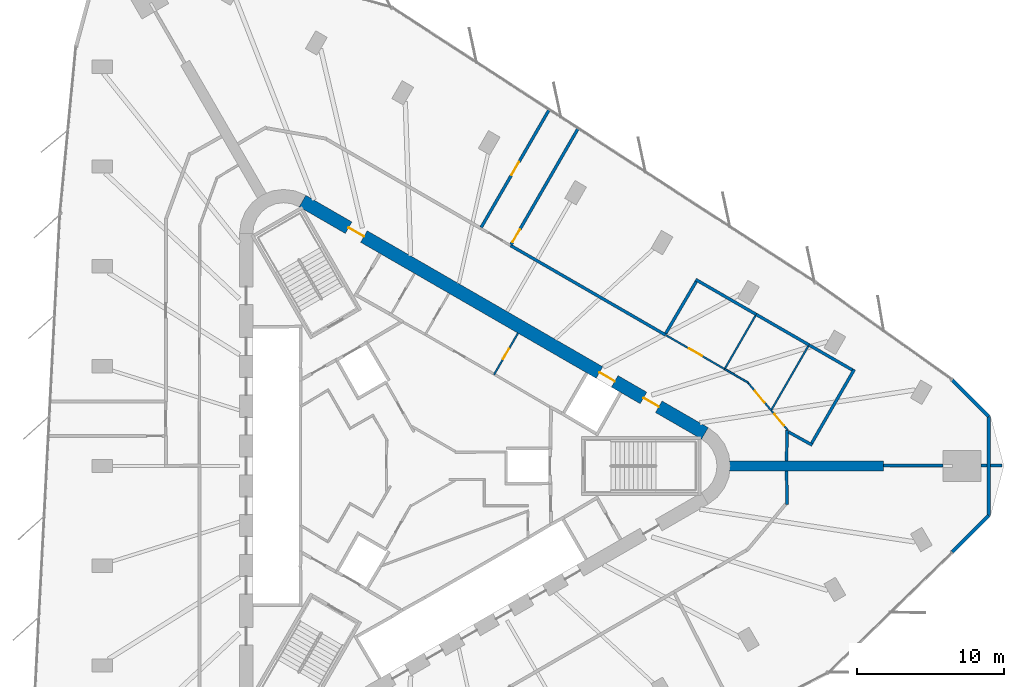
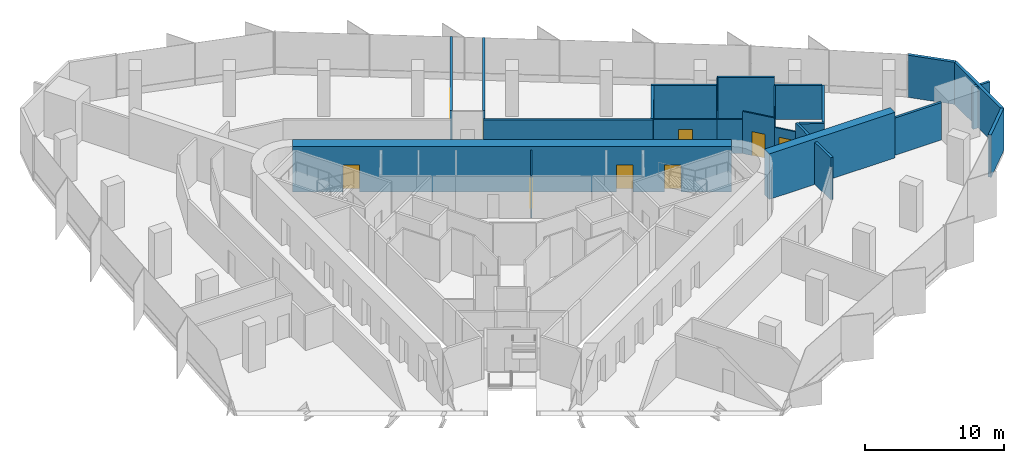
# One storey, part 12 of 14: 26 walls, 9 doors, 9 openings.
"""IFC4 building model written with IfcOpenShell, lengths in metres."""

from ifc_helpers import new_model, si_unit, direction, frame, frame_2d, origin, place, context, subcontext, project, spatial, rectangle, extrude, material, layer, layer_set, type_object, element, fill, save


model = new_model("IFC4")

# Units and contexts
model_context = context("Model", 3, precision=1e-05, world=origin(), true_north=direction((0.0, 1.0)))
body_context = subcontext(model_context, "Body", "Model", "MODEL_VIEW")
ifc_project = project(units=[si_unit("LENGTHUNIT", "METRE"), si_unit("AREAUNIT", "SQUARE_METRE"), si_unit("VOLUMEUNIT", "CUBIC_METRE"), si_unit("PLANEANGLEUNIT", "RADIAN"), si_unit("MASSUNIT", "GRAM", prefix="KILO")], contexts=[model_context])

# Site, building, storey
site_placement = place(None, origin())
site = spatial("IfcSite", under=ifc_project, at=site_placement, CompositionType="ELEMENT")
building_placement = place(site_placement, origin())
building = spatial("IfcBuilding", under=site, at=building_placement, Name="Tanit Gate Tower", CompositionType="ELEMENT")
storey_placement = place(building_placement, frame((0.0, 0.0, 253.199951171875)))
storey = spatial("IfcBuildingStorey", under=building, at=storey_placement, Name="L57", CompositionType="ELEMENT", Elevation=253.199951171875)

# Wall
ifc_material_1 = material(Name="Concrete C50/60", Category="concrete")
ifc_layer_1 = layer(ifc_material_1, 0.699951171875)
ifc_layer_set_1 = layer_set([ifc_layer_1], Name="BUTTRESS FIN 700 C50/60")
wall_type_1 = type_object("IfcWallType", Name="BUTTRESS FIN 700 C50/60", PredefinedType="SHEAR", material=ifc_layer_set_1)
wall_1_placement = place(storey_placement, frame((21.14990234375, 0.0, 0.0), z_axis=(0.0, 0.0, 1.0), x_axis=(1.0, 0.0, 0.0)))
element("IfcWall", 1, at=wall_1_placement, inside=storey, type_object=wall_type_1, Name="BUTTRESS FIN", PredefinedType="SHEAR", context=body_context, shape_type="SweptSolid", body=[
    extrude(rectangle(XDim=10.4326171875, YDim=0.699951171875, at=frame_2d((5.21630859375, 0.0))), origin(), (0.0, 0.0, 1.0), 4.0),
])

# Wall, openings, doors
ifc_material_2 = material(Name="Concrete C50/60", Category="concrete")
ifc_layer_2 = layer(ifc_material_2, 0.89990234375)
ifc_layer_set_2 = layer_set([ifc_layer_2], Name="CORE WALL 900 C50/60")
wall_type_2 = type_object("IfcWallType", Name="CORE WALL 900 C50/60", PredefinedType="SHEAR", material=ifc_layer_set_2)
wall_2_placement = place(storey_placement, frame((19.47509765625, 2.20849609375, 0.0), z_axis=(0.0, 0.0, 1.0), x_axis=(-0.866028369851, 0.499994862586, 0.0)))
wall_2 = element("IfcWall", 2, at=wall_2_placement, inside=storey, type_object=wall_type_2, Name="CORE WALL", PredefinedType="SHEAR", context=body_context, shape_type="SweptSolid", body=[
    extrude(rectangle(XDim=31.523193359375, YDim=0.89990234375, at=frame_2d((15.76171875, 0.0))), origin(), (0.0, 0.0, 1.0), 4.0),
])
opening_1_placement = place(wall_2_placement, frame((7.0615234375, 0.0, 0.0)))
opening_1 = element("IfcOpeningElement", 3, at=opening_1_placement, cuts=wall_2, Name="Opening LDML8-S16", PredefinedType="OPENING", context=body_context, shape_type="SweptSolid", body=[
    extrude(rectangle(XDim=1.199951171875, YDim=2.39990234375, at=frame_2d((0.60009765625, 1.199951171875))), frame((0.0, 0.4599609375, 0.0), z_axis=(0.0, -1.0, 0.0), x_axis=(1.0, 0.0, 0.0)), (0.0, 0.0, 1.0), 0.919921875),
])
opening_2_placement = place(wall_2_placement, frame((3.611572265625, 0.0, 0.0)))
opening_2 = element("IfcOpeningElement", 4, at=opening_2_placement, cuts=wall_2, Name="Opening F12-S16-FL1", PredefinedType="OPENING", context=body_context, shape_type="SweptSolid", body=[
    extrude(rectangle(XDim=1.199951171875, YDim=2.39990234375, at=frame_2d((0.60009765625, 1.199951171875))), frame((0.0, 0.4599609375, 0.0), z_axis=(0.0, -1.0, 0.0), x_axis=(1.0, 0.0, 0.0)), (0.0, 0.0, 1.0), 0.919921875),
])
opening_3_placement = place(wall_2_placement, frame((26.711669921875, 0.0, 0.0)))
opening_3 = element("IfcOpeningElement", 5, at=opening_3_placement, cuts=wall_2, Name="Opening F12-S16-S2", PredefinedType="OPENING", context=body_context, shape_type="SweptSolid", body=[
    extrude(rectangle(XDim=1.199951171875, YDim=2.39990234375, at=frame_2d((0.60009765625, 1.199951171875))), frame((0.0, 0.4599609375, 0.0), z_axis=(0.0, -1.0, 0.0), x_axis=(1.0, 0.0, 0.0)), (0.0, 0.0, 1.0), 0.919921875),
])
ifc_material_3 = material(Name="Fire-rated steel door leaf", Category="steel")
door_type_1 = type_object("IfcDoorType", Name="INT-DOOR-FIRE-LOBBY-1200", OperationType="NOTDEFINED", PredefinedType="USERDEFINED", material=ifc_material_3)
door_1_placement = place(opening_2_placement, origin())
door_1 = element("IfcDoor", 6, at=door_1_placement, inside=storey, type_object=door_type_1, Name="Door F12-S16-FL1", ObjectType="FIRE DOOR", OperationType="SINGLE_SWING_RIGHT", OverallHeight=2.39990234375, OverallWidth=1.199951171875, PredefinedType="USERDEFINED", context=body_context, shape_type="SweptSolid", body=[
    extrude(rectangle(XDim=1.199951171875, YDim=2.39990234375, at=frame_2d((0.60009765625, 1.199951171875))), frame((0.0, 0.02490234375, 0.0), z_axis=(0.0, -1.0, 0.0), x_axis=(1.0, 0.0, 0.0)), (0.0, 0.0, 1.0), 0.050048828125),
])
fill(opening_2, door_1)
door_2_placement = place(opening_3_placement, origin())
door_2 = element("IfcDoor", 7, at=door_2_placement, inside=storey, type_object=door_type_1, Name="Door F12-S16-S2", ObjectType="FIRE DOOR", OperationType="SINGLE_SWING_RIGHT", OverallHeight=2.39990234375, OverallWidth=1.199951171875, PredefinedType="USERDEFINED", context=body_context, shape_type="SweptSolid", body=[
    extrude(rectangle(XDim=1.199951171875, YDim=2.39990234375, at=frame_2d((0.60009765625, 1.199951171875))), frame((0.0, 0.02490234375, 0.0), z_axis=(0.0, -1.0, 0.0), x_axis=(1.0, 0.0, 0.0)), (0.0, 0.0, 1.0), 0.050048828125),
])
fill(opening_3, door_2)
ifc_material_4 = material(Name="Stainless steel sliding door leaf", Category="steel")
door_type_2 = type_object("IfcDoorType", Name="INT-DOOR-LANDING-1200", OperationType="NOTDEFINED", PredefinedType="USERDEFINED", material=ifc_material_4)
door_3_placement = place(opening_1_placement, origin())
door_3 = element("IfcDoor", 8, at=door_3_placement, inside=storey, type_object=door_type_2, Name="Door LDML8-S16", ObjectType="LANDING DOOR", OperationType="SLIDING_TO_LEFT", OverallHeight=2.39990234375, OverallWidth=1.199951171875, PredefinedType="USERDEFINED", context=body_context, shape_type="SweptSolid", body=[
    extrude(rectangle(XDim=1.199951171875, YDim=2.39990234375, at=frame_2d((0.60009765625, 1.199951171875))), frame((0.0, 0.02490234375, 0.0), z_axis=(0.0, -1.0, 0.0), x_axis=(1.0, 0.0, 0.0)), (0.0, 0.0, 1.0), 0.050048828125),
])
fill(opening_1, door_3)

# Walls
ifc_material_5 = material(Name="Concrete C30/37 with bronze anodised aluminium cladding", Category="concrete")
ifc_layer_3 = layer(ifc_material_5, 0.239990234375)
ifc_layer_set_3 = layer_set([ifc_layer_3], Name="Facade wall bronze clad 240")
wall_type_3 = type_object("IfcWallType", Name="Facade wall bronze clad 240", PredefinedType="SOLIDWALL", material=ifc_layer_set_3)
wall_3_placement = place(storey_placement, frame((36.263427734375, -5.842041015625, 0.0), z_axis=(0.0, 0.0, 1.0), x_axis=(0.707106781187, 0.707106781187, 0.0)))
element("IfcWall", 9, at=wall_3_placement, inside=storey, type_object=wall_type_3, Name="Bronze-clad facade wall L57 E.arc1", PredefinedType="SOLIDWALL", context=body_context, shape_type="SweptSolid", body=[
    extrude(rectangle(XDim=3.510009765625, YDim=0.239990234375, at=frame_2d((1.7548828125, 0.0))), origin(), (0.0, 0.0, 1.0), 3.699951171875),
])
wall_4_placement = place(storey_placement, frame((38.745361328125, -3.360107421875, 0.0), z_axis=(0.0, 0.0, 1.0), x_axis=(0.0, 1.0, 0.0)))
element("IfcWall", 10, at=wall_4_placement, inside=storey, type_object=wall_type_3, Name="Bronze-clad facade wall L57 E.arc2", PredefinedType="SOLIDWALL", context=body_context, shape_type="SweptSolid", body=[
    extrude(rectangle(XDim=6.72021484375, YDim=0.239990234375, at=frame_2d((3.360107421875, 0.0))), origin(), (0.0, 0.0, 1.0), 3.699951171875),
])
wall_5_placement = place(storey_placement, frame((38.745361328125, 3.360107421875, 0.0), z_axis=(0.0, 0.0, 1.0), x_axis=(-0.707071911409, 0.707141649244, 0.0)))
element("IfcWall", 11, at=wall_5_placement, inside=storey, type_object=wall_type_3, Name="Bronze-clad facade wall L57 E.arc3", PredefinedType="SOLIDWALL", context=body_context, shape_type="SweptSolid", body=[
    extrude(rectangle(XDim=3.500732421875, YDim=0.239990234375, at=frame_2d((1.75048828125, 0.0))), origin(), (0.0, 0.0, 1.0), 3.699951171875),
])
ifc_material_6 = material(Name="Fire-rated gypsum board partition")
ifc_layer_4 = layer(ifc_material_6, 0.199951171875)
ifc_layer_set_4 = layer_set([ifc_layer_4], Name="INT-WALL-COMPARTMENT")
wall_type_4 = type_object("IfcWallType", Name="INT-WALL-COMPARTMENT", PredefinedType="PARTITIONING", material=ifc_layer_set_4)
wall_6_placement = place(storey_placement, frame((16.82275390625, 8.8779296875, 0.0), z_axis=(0.0, 0.0, 1.0), x_axis=(-0.866020355572, 0.500008743658, 0.0)))
element("IfcWall", 12, at=wall_6_placement, inside=storey, type_object=wall_type_4, Name="Wall Compartment W103", PredefinedType="PARTITIONING", context=body_context, shape_type="SweptSolid", body=[
    extrude(rectangle(XDim=12.179931640625, YDim=0.199951171875, at=frame_2d((6.08984375, 0.0))), origin(), (0.0, 0.0, 1.0), 2.97998046875),
])
wall_7_placement = place(storey_placement, frame((25.0205078125, 0.35009765625, 0.0), z_axis=(0.0, 0.0, 1.0), x_axis=(0.012334587904, 0.999923926077, 0.0)))
element("IfcWall", 13, at=wall_7_placement, inside=storey, type_object=wall_type_4, Name="Wall Compartment W104", PredefinedType="PARTITIONING", context=body_context, shape_type="SweptSolid", body=[
    extrude(rectangle(XDim=2.078369140625, YDim=0.199951171875, at=frame_2d((1.0390625, 0.0))), origin(), (0.0, 0.0, 1.0), 3.699951171875),
])
wall_8_placement = place(storey_placement, frame((25.047607421875, -2.608154296875, 0.0), z_axis=(0.0, 0.0, 1.0), x_axis=(-0.012000433251, 0.999927992208, 0.0)))
element("IfcWall", 14, at=wall_8_placement, inside=storey, type_object=wall_type_4, Name="Wall Compartment W110", PredefinedType="PARTITIONING", context=body_context, shape_type="SweptSolid", body=[
    extrude(rectangle(XDim=2.25830078125, YDim=0.199951171875, at=frame_2d((1.129150390625, 0.0))), origin(), (0.0, 0.0, 1.0), 3.699951171875),
])

# Wall, opening, door
wall_9_placement = place(storey_placement, frame((8.912109375, 24.17626953125, 0.0), z_axis=(0.0, 0.0, 1.0), x_axis=(-0.500000924775, -0.866024869865, 0.0)))
wall_9 = element("IfcWall", 15, at=wall_9_placement, inside=storey, type_object=wall_type_4, Name="Wall Compartment W126", PredefinedType="PARTITIONING", context=body_context, shape_type="SweptSolid", body=[
    extrude(rectangle(XDim=9.2333984375, YDim=0.199951171875, at=frame_2d((4.61669921875, 0.0))), origin(), (0.0, 0.0, 1.0), 3.699951171875),
])
opening_4_placement = place(wall_9_placement, frame((4.11669921875, 0.0, 0.0)))
opening_4 = element("IfcOpeningElement", 16, at=opening_4_placement, cuts=wall_9, Name="Opening F10-S16-32", PredefinedType="OPENING", context=body_context, shape_type="SweptSolid", body=[
    extrude(rectangle(XDim=1.0, YDim=2.10009765625, at=frame_2d((0.5, 1.050048828125))), frame((0.0, 0.10986328125, 0.0), z_axis=(0.0, -1.0, 0.0), x_axis=(1.0, 0.0, 0.0)), (0.0, 0.0, 1.0), 0.219970703125),
])
ifc_material_7 = material(Name="Fire-rated steel door leaf", Category="steel")
door_type_3 = type_object("IfcDoorType", Name="INT-DOOR-FIRE-1000", OperationType="NOTDEFINED", PredefinedType="USERDEFINED", material=ifc_material_7)
door_4_placement = place(opening_4_placement, origin())
door_4 = element("IfcDoor", 17, at=door_4_placement, inside=storey, type_object=door_type_3, Name="Door F10-S16-32", ObjectType="FIRE DOOR", OperationType="SINGLE_SWING_RIGHT", OverallHeight=2.10009765625, OverallWidth=1.0, PredefinedType="USERDEFINED", context=body_context, shape_type="SweptSolid", body=[
    extrude(rectangle(XDim=1.0, YDim=2.10009765625, at=frame_2d((0.5, 1.050048828125))), frame((0.0, 0.02490234375, 0.0), z_axis=(0.0, -1.0, 0.0), x_axis=(1.0, 0.0, 0.0)), (0.0, 0.0, 1.0), 0.050048828125),
])
fill(opening_4, door_4)

wall_10_placement = place(storey_placement, frame((6.322021484375, 15.010009765625, 0.0), z_axis=(0.0, 0.0, 1.0), x_axis=(0.500009283198, 0.866020044061, 0.0)))
wall_10 = element("IfcWall", 18, at=wall_10_placement, inside=storey, type_object=wall_type_4, Name="Wall Compartment W127", PredefinedType="PARTITIONING", context=body_context, shape_type="SweptSolid", body=[
    extrude(rectangle(XDim=9.111572265625, YDim=0.199951171875, at=frame_2d((4.5556640625, 0.0))), origin(), (0.0, 0.0, 1.0), 3.699951171875),
])
opening_5_placement = place(wall_10_placement, frame((0.199951171875, 0.0, 0.0)))
opening_5 = element("IfcOpeningElement", 19, at=opening_5_placement, cuts=wall_10, Name="Opening F10-S16-33", PredefinedType="OPENING", context=body_context, shape_type="SweptSolid", body=[
    extrude(rectangle(XDim=1.0, YDim=2.10009765625, at=frame_2d((0.5, 1.050048828125))), frame((0.0, 0.10986328125, 0.0), z_axis=(0.0, -1.0, 0.0), x_axis=(1.0, 0.0, 0.0)), (0.0, 0.0, 1.0), 0.219970703125),
])
door_5_placement = place(opening_5_placement, origin())
door_5 = element("IfcDoor", 20, at=door_5_placement, inside=storey, type_object=door_type_3, Name="Door F10-S16-33", ObjectType="FIRE DOOR", OperationType="SINGLE_SWING_LEFT", OverallHeight=2.10009765625, OverallWidth=1.0, PredefinedType="USERDEFINED", context=body_context, shape_type="SweptSolid", body=[
    extrude(rectangle(XDim=1.0, YDim=2.10009765625, at=frame_2d((0.5, 1.050048828125))), frame((0.0, 0.02490234375, 0.0), z_axis=(0.0, -1.0, 0.0), x_axis=(1.0, 0.0, 0.0)), (0.0, 0.0, 1.0), 0.050048828125),
])
fill(opening_5, door_5)

# Walls
wall_11_placement = place(storey_placement, frame((31.58251953125, 0.030029296875, 0.0), z_axis=(0.0, 0.0, 1.0), x_axis=(1.0, 0.0, 0.0)))
element("IfcWall", 21, at=wall_11_placement, inside=storey, type_object=wall_type_4, Name="Wall Compartment W128", PredefinedType="PARTITIONING", context=body_context, shape_type="SweptSolid", body=[
    extrude(rectangle(XDim=4.03759765625, YDim=0.199951171875, at=frame_2d((2.018798828125, 0.0))), origin(), (0.0, 0.0, 1.0), 3.27001953125),
])
wall_12_placement = place(storey_placement, frame((38.219970703125, 0.030029296875, 0.0), z_axis=(0.0, 0.0, 1.0), x_axis=(1.0, 0.0, 0.0)))
element("IfcWall", 22, at=wall_12_placement, inside=storey, type_object=wall_type_4, Name="Wall Compartment W129", PredefinedType="PARTITIONING", context=body_context, shape_type="SweptSolid", body=[
    extrude(rectangle(XDim=0.405517578125, YDim=0.199951171875, at=frame_2d((0.20263671875, 0.0))), origin(), (0.0, 0.0, 1.0), 3.699951171875),
])
wall_13_placement = place(storey_placement, frame((38.865478515625, 0.030029296875, 0.0), z_axis=(0.0, 0.0, 1.0), x_axis=(1.0, 0.0, 0.0)))
element("IfcWall", 23, at=wall_13_placement, inside=storey, type_object=wall_type_4, Name="Wall Compartment W129x1", PredefinedType="PARTITIONING", context=body_context, shape_type="SweptSolid", body=[
    extrude(rectangle(XDim=0.772216796875, YDim=0.199951171875, at=frame_2d((0.38623046875, 0.0))), origin(), (0.0, 0.0, 1.0), 3.699951171875),
])
wall_14_placement = place(storey_placement, frame((18.850341796875, 12.649658203125, 0.0), z_axis=(0.0, 0.0, 1.0), x_axis=(0.866019207135, -0.500010732759, 0.0)))
element("IfcWall", 24, at=wall_14_placement, inside=storey, type_object=wall_type_4, Name="Wall Compartment W130", PredefinedType="PARTITIONING", context=body_context, shape_type="SweptSolid", body=[
    extrude(rectangle(XDim=4.74072265625, YDim=0.199951171875, at=frame_2d((2.370361328125, 0.0))), origin(), (0.0, 0.0, 1.0), 2.97998046875),
])
wall_15_placement = place(storey_placement, frame((22.955810546875, 10.279296875, 0.0), z_axis=(0.0, 0.0, 1.0), x_axis=(0.86601450623, -0.500018874643, 0.0)))
element("IfcWall", 25, at=wall_15_placement, inside=storey, type_object=wall_type_4, Name="Wall Compartment W132", PredefinedType="PARTITIONING", context=body_context, shape_type="SweptSolid", body=[
    extrude(rectangle(XDim=4.135009765625, YDim=0.199951171875, at=frame_2d((2.0673828125, 0.0))), origin(), (0.0, 0.0, 1.0), 3.699951171875),
])
wall_16_placement = place(storey_placement, frame((26.536865234375, 8.211669921875, 0.0), z_axis=(0.0, 0.0, 1.0), x_axis=(0.866034661658, -0.49998396455, 0.0)))
element("IfcWall", 26, at=wall_16_placement, inside=storey, type_object=wall_type_4, Name="Wall Compartment W135", PredefinedType="PARTITIONING", context=body_context, shape_type="SweptSolid", body=[
    extrude(rectangle(XDim=3.39404296875, YDim=0.199951171875, at=frame_2d((1.697021484375, 0.0))), origin(), (0.0, 0.0, 1.0), 2.97998046875),
])
wall_17_placement = place(storey_placement, frame((18.88623046875, 12.513427734375, 0.0), z_axis=(0.0, 0.0, 1.0), x_axis=(-0.506023514177, -0.862519682732, 0.0)))
element("IfcWall", 27, at=wall_17_placement, inside=storey, type_object=wall_type_4, Name="Wall Compartment W131", PredefinedType="PARTITIONING", context=body_context, shape_type="SweptSolid", body=[
    extrude(rectangle(XDim=4.080322265625, YDim=0.199951171875, at=frame_2d((2.0400390625, 0.0))), origin(), (0.0, 0.0, 1.0), 2.97998046875),
])
wall_18_placement = place(storey_placement, frame((25.1455078125, 2.308349609375, 0.0), z_axis=(0.0, 0.0, 1.0), x_axis=(0.873988954693, -0.485945786147, 0.0)))
element("IfcWall", 28, at=wall_18_placement, inside=storey, type_object=wall_type_4, Name="Wall Compartment W133", PredefinedType="PARTITIONING", context=body_context, shape_type="SweptSolid", body=[
    extrude(rectangle(XDim=1.847900390625, YDim=0.199951171875, at=frame_2d((0.923828125, 0.0))), origin(), (0.0, 0.0, 1.0), 3.699951171875),
])
wall_19_placement = place(storey_placement, frame((26.722900390625, 1.545654296875, 0.0), z_axis=(0.0, 0.0, 1.0), x_axis=(0.500018609004, 0.866014659605, 0.0)))
element("IfcWall", 29, at=wall_19_placement, inside=storey, type_object=wall_type_4, Name="Wall Compartment W134", PredefinedType="PARTITIONING", context=body_context, shape_type="SweptSolid", body=[
    extrude(rectangle(XDim=5.780029296875, YDim=0.199951171875, at=frame_2d((2.89013671875, 0.0))), origin(), (0.0, 0.0, 1.0), 2.880126953125),
])

# Wall, opening, door
ifc_material_8 = material(Name="Gypsum board partition")
ifc_layer_5 = layer(ifc_material_8, 0.1201171875)
ifc_layer_set_5 = layer_set([ifc_layer_5], Name="INT-WALL-PARTITION")
wall_type_5 = type_object("IfcWallType", Name="INT-WALL-PARTITION", PredefinedType="PARTITIONING", material=ifc_layer_set_5)
wall_20_placement = place(storey_placement, frame((6.795166015625, 9.009521484375, 0.0), z_axis=(0.0, 0.0, 1.0), x_axis=(-0.499984717929, -0.866034226713, 0.0)))
wall_20 = element("IfcWall", 30, at=wall_20_placement, inside=storey, type_object=wall_type_5, Name="Wall Partition W050", PredefinedType="PARTITIONING", context=body_context, shape_type="SweptSolid", body=[
    extrude(rectangle(XDim=3.25, YDim=0.1201171875, at=frame_2d((1.625, 0.0))), origin(), (0.0, 0.0, 1.0), 3.699951171875),
])
opening_6_placement = place(wall_20_placement, frame((1.22509765625, 0.0, 0.0)))
opening_6 = element("IfcOpeningElement", 31, at=opening_6_placement, cuts=wall_20, Name="Opening R08-S16-14", PredefinedType="OPENING", context=body_context, shape_type="SweptSolid", body=[
    extrude(rectangle(XDim=0.800048828125, YDim=2.10009765625, at=frame_2d((0.39990234375, 1.050048828125))), frame((0.0, 0.070068359375, 0.0), z_axis=(0.0, -1.0, 0.0), x_axis=(1.0, 0.0, 0.0)), (0.0, 0.0, 1.0), 0.14013671875),
])
ifc_material_9 = material(Name="Timber door leaf", Category="wood")
door_type_4 = type_object("IfcDoorType", Name="INT-DOOR-RISER-800", OperationType="NOTDEFINED", PredefinedType="USERDEFINED", material=ifc_material_9)
door_6_placement = place(opening_6_placement, origin())
door_6 = element("IfcDoor", 32, at=door_6_placement, inside=storey, type_object=door_type_4, Name="Door R08-S16-14", ObjectType="FIRE DOOR", OperationType="SINGLE_SWING_LEFT", OverallHeight=2.10009765625, OverallWidth=0.800048828125, PredefinedType="USERDEFINED", context=body_context, shape_type="SweptSolid", body=[
    extrude(rectangle(XDim=0.800048828125, YDim=2.10009765625, at=frame_2d((0.39990234375, 1.050048828125))), frame((0.0, 0.02490234375, 0.0), z_axis=(0.0, -1.0, 0.0), x_axis=(1.0, 0.0, 0.0)), (0.0, 0.0, 1.0), 0.050048828125),
])
fill(opening_6, door_6)

# Wall
wall_21_placement = place(storey_placement, frame((22.431396484375, 5.639892578125, 0.0), z_axis=(0.0, 0.0, 1.0), x_axis=(-0.866019968675, 0.500009413767, 0.0)))
element("IfcWall", 33, at=wall_21_placement, inside=storey, type_object=wall_type_5, Name="Wall Partition W106", PredefinedType="PARTITIONING", context=body_context, shape_type="SweptSolid", body=[
    extrude(rectangle(XDim=1.86572265625, YDim=0.1201171875, at=frame_2d((0.932861328125, 0.0))), origin(), (0.0, 0.0, 1.0), 2.97998046875),
])

# Wall, opening, door
wall_22_placement = place(storey_placement, frame((20.815673828125, 6.57275390625, 0.0), z_axis=(0.0, 0.0, 1.0), x_axis=(-0.866038816861, 0.499976767151, 0.0)))
wall_22 = element("IfcWall", 34, at=wall_22_placement, inside=storey, type_object=wall_type_5, Name="Wall Partition W105", PredefinedType="PARTITIONING", context=body_context, shape_type="SweptSolid", body=[
    extrude(rectangle(XDim=4.570556640625, YDim=0.1201171875, at=frame_2d((2.28515625, 0.0))), origin(), (0.0, 0.0, 1.0), 2.97998046875),
])
opening_7_placement = place(wall_22_placement, frame((1.785400390625, 0.0, 0.0)))
opening_7 = element("IfcOpeningElement", 35, at=opening_7_placement, cuts=wall_22, Name="Opening D10-S16-27", PredefinedType="OPENING", context=body_context, shape_type="SweptSolid", body=[
    extrude(rectangle(XDim=1.0, YDim=2.10009765625, at=frame_2d((0.5, 1.050048828125))), frame((0.0, 0.070068359375, 0.0), z_axis=(0.0, -1.0, 0.0), x_axis=(1.0, 0.0, 0.0)), (0.0, 0.0, 1.0), 0.14013671875),
])
ifc_material_10 = material(Name="Timber door leaf", Category="wood")
door_type_5 = type_object("IfcDoorType", Name="INT-DOOR-SINGLE-1000", OperationType="NOTDEFINED", PredefinedType="NOTDEFINED", material=ifc_material_10)
door_7_placement = place(opening_7_placement, origin())
door_7 = element("IfcDoor", 36, at=door_7_placement, inside=storey, type_object=door_type_5, Name="Door D10-S16-27", OperationType="SINGLE_SWING_LEFT", OverallHeight=2.10009765625, OverallWidth=1.0, PredefinedType="NOTDEFINED", context=body_context, shape_type="SweptSolid", body=[
    extrude(rectangle(XDim=1.0, YDim=2.10009765625, at=frame_2d((0.5, 1.050048828125))), frame((0.0, 0.02490234375, 0.0), z_axis=(0.0, -1.0, 0.0), x_axis=(1.0, 0.0, 0.0)), (0.0, 0.0, 1.0), 0.050048828125),
])
fill(opening_7, door_7)

wall_23_placement = place(storey_placement, frame((25.10009765625, 2.427490234375, 0.0), z_axis=(0.0, 0.0, 1.0), x_axis=(-0.642728930344, 0.766093677104, 0.0)))
wall_23 = element("IfcWall", 37, at=wall_23_placement, inside=storey, type_object=wall_type_5, Name="Wall Partition W108", PredefinedType="PARTITIONING", context=body_context, shape_type="SweptSolid", body=[
    extrude(rectangle(XDim=1.743408203125, YDim=0.1201171875, at=frame_2d((0.87158203125, 0.0))), origin(), (0.0, 0.0, 1.0), 2.880126953125),
])
opening_8_placement = place(wall_23_placement, frame((0.413818359375, 0.0, 0.0)))
opening_8 = element("IfcOpeningElement", 38, at=opening_8_placement, cuts=wall_23, Name="Opening D10-S16-29", PredefinedType="OPENING", context=body_context, shape_type="SweptSolid", body=[
    extrude(rectangle(XDim=1.0, YDim=2.10009765625, at=frame_2d((0.5, 1.050048828125))), frame((0.0, 0.070068359375, 0.0), z_axis=(0.0, -1.0, 0.0), x_axis=(1.0, 0.0, 0.0)), (0.0, 0.0, 1.0), 0.14013671875),
])
door_8_placement = place(opening_8_placement, origin())
door_8 = element("IfcDoor", 39, at=door_8_placement, inside=storey, type_object=door_type_5, Name="Door D10-S16-29", OperationType="SINGLE_SWING_LEFT", OverallHeight=2.10009765625, OverallWidth=1.0, PredefinedType="NOTDEFINED", context=body_context, shape_type="SweptSolid", body=[
    extrude(rectangle(XDim=1.0, YDim=2.10009765625, at=frame_2d((0.5, 1.050048828125))), frame((0.0, 0.02490234375, 0.0), z_axis=(0.0, -1.0, 0.0), x_axis=(1.0, 0.0, 0.0)), (0.0, 0.0, 1.0), 0.050048828125),
])
fill(opening_8, door_8)

wall_24_placement = place(storey_placement, frame((23.9794921875, 3.76318359375, 0.0), z_axis=(0.0, 0.0, 1.0), x_axis=(-0.642800687269, 0.766033469535, 0.0)))
wall_24 = element("IfcWall", 40, at=wall_24_placement, inside=storey, type_object=wall_type_5, Name="Wall Partition W107", PredefinedType="PARTITIONING", context=body_context, shape_type="SweptSolid", body=[
    extrude(rectangle(XDim=2.428955078125, YDim=0.1201171875, at=frame_2d((1.21435546875, 0.0))), origin(), (0.0, 0.0, 1.0), 3.699951171875),
])
opening_9_placement = place(wall_24_placement, frame((0.714599609375, 0.0, 0.0)))
opening_9 = element("IfcOpeningElement", 41, at=opening_9_placement, cuts=wall_24, Name="Opening D10-S16-28", PredefinedType="OPENING", context=body_context, shape_type="SweptSolid", body=[
    extrude(rectangle(XDim=1.0, YDim=2.10009765625, at=frame_2d((0.5, 1.050048828125))), frame((0.0, 0.070068359375, 0.0), z_axis=(0.0, -1.0, 0.0), x_axis=(1.0, 0.0, 0.0)), (0.0, 0.0, 1.0), 0.14013671875),
])
door_9_placement = place(opening_9_placement, origin())
door_9 = element("IfcDoor", 42, at=door_9_placement, inside=storey, type_object=door_type_5, Name="Door D10-S16-28", OperationType="SINGLE_SWING_RIGHT", OverallHeight=2.10009765625, OverallWidth=1.0, PredefinedType="NOTDEFINED", context=body_context, shape_type="SweptSolid", body=[
    extrude(rectangle(XDim=1.0, YDim=2.10009765625, at=frame_2d((0.5, 1.050048828125))), frame((0.0, 0.02490234375, 0.0), z_axis=(0.0, -1.0, 0.0), x_axis=(1.0, 0.0, 0.0)), (0.0, 0.0, 1.0), 0.050048828125),
])
fill(opening_9, door_9)

# Walls
wall_25_placement = place(storey_placement, frame((20.845703125, 6.624755859375, 0.0), z_axis=(0.0, 0.0, 1.0), x_axis=(0.50002680699, 0.866009926209, 0.0)))
element("IfcWall", 43, at=wall_25_placement, inside=storey, type_object=wall_type_5, Name="Wall Partition W149", PredefinedType="PARTITIONING", context=body_context, shape_type="SweptSolid", body=[
    extrude(rectangle(XDim=4.119873046875, YDim=0.1201171875, at=frame_2d((2.06005859375, 0.0))), origin(), (0.0, 0.0, 1.0), 3.699951171875),
])
wall_26_placement = place(storey_placement, frame((26.487060546875, 8.125, 0.0), z_axis=(0.0, 0.0, 1.0), x_axis=(-0.500037493495, -0.866003755823, 0.0)))
element("IfcWall", 44, at=wall_26_placement, inside=storey, type_object=wall_type_5, Name="Wall Partition W150", PredefinedType="PARTITIONING", context=body_context, shape_type="SweptSolid", body=[
    extrude(rectangle(XDim=4.9638671875, YDim=0.1201171875, at=frame_2d((2.48193359375, 0.0))), origin(), (0.0, 0.0, 1.0), 2.97998046875),
])

save(model, "model.ifc")
